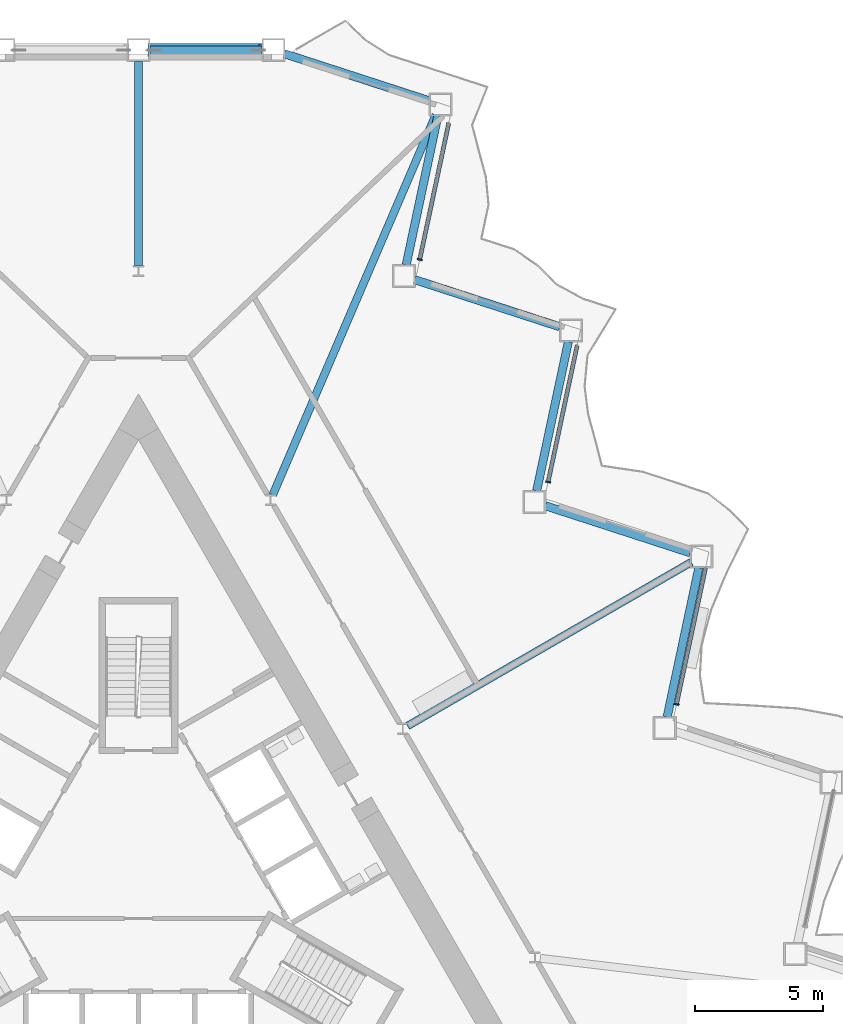
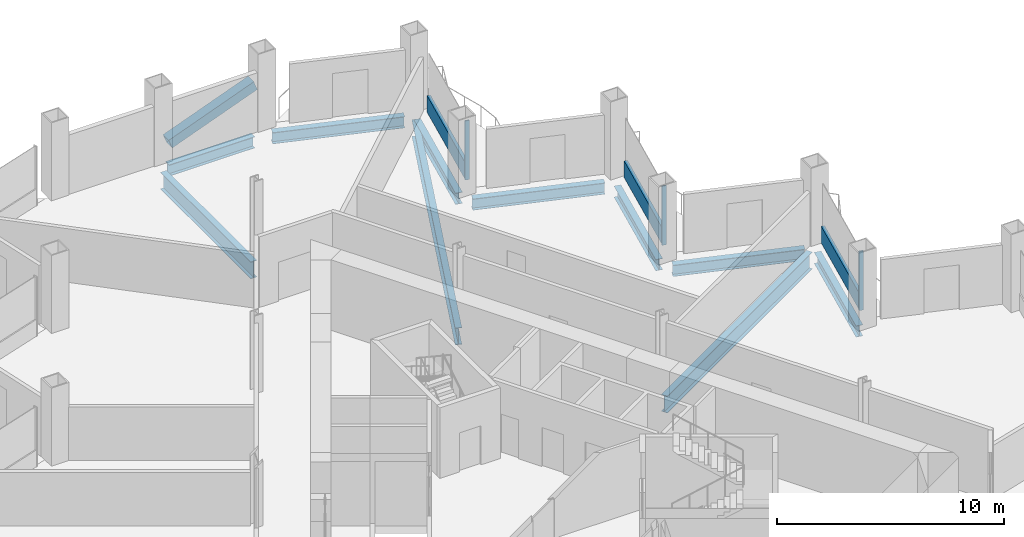
# One storey, part 8 of 21: 10 beams, 7 members, 3 elements without a shape of their own.
"""IFC4 building model written with IfcOpenShell, lengths in metres."""

import ifcopenshell
import ifcopenshell.guid

model = None  # the IFC model being written
_history = None  # IfcOwnerHistory: only IFC2X3 demands one
_inside = {}  # id of a spatial element -> (the spatial element, [elements in it])
_under = {}  # id of a project, library or spatial element -> (it, [spatial elements below it])
_declared = {}  # id of a project -> (the project, [libraries it declares])
_typed = {}  # id of a type object -> (the type object, [elements of that type])
_made_of = {}  # id of a material, layer set ... -> (it, [elements and type objects made of it])


def new_model(schema):
    """Start an empty IFC model of exactly this schema.

    Asked for "IFC4X3", IfcOpenShell would pick the latest addendum, in which some entities
    have other attributes; the version numbers below select the first issue.
    IFC2X3 requires an IfcOwnerHistory on every rooted entity: one is made here for all.
    """
    global model, _history
    if schema == "IFC4X3":
        model = ifcopenshell.file(schema_version=(4, 3, 0, 0))
    else:
        model = ifcopenshell.file(schema=schema)
    _inside.clear()
    _under.clear()
    _declared.clear()
    _typed.clear()
    _made_of.clear()
    _history = None
    if model.schema == "IFC2X3":
        org = make("IfcOrganization", Name="unknown")
        user = make(
            "IfcPersonAndOrganization",
            ThePerson=make("IfcPerson", FamilyName="unknown"),
            TheOrganization=org,
        )
        app = make(
            "IfcApplication",
            ApplicationDeveloper=org,
            Version="unknown",
            ApplicationFullName="unknown",
            ApplicationIdentifier="unknown",
        )
        _history = make(
            "IfcOwnerHistory",
            OwningUser=user,
            OwningApplication=app,
            ChangeAction="ADDED",
            CreationDate=0,
        )
    return model


def make(cls, **values):
    """One entity of the class cls with the attributes given. An attribute that is None is left unset."""
    return model.create_entity(
        cls, **{name: value for name, value in values.items() if value is not None}
    )


def rooted(cls, **values):
    """An entity with a GlobalId (a new one), such as an element, a storey or a relation."""
    return make(cls, GlobalId=ifcopenshell.guid.new(), OwnerHistory=_history, **values)


def si_unit(unit_type, name, prefix=None):
    """IfcSIUnit, for example si_unit("LENGTHUNIT", "METRE", prefix="MILLI")."""
    return make("IfcSIUnit", UnitType=unit_type, Prefix=prefix, Name=name)


def assignment(units):
    """IfcUnitAssignment: the units of a project."""
    return None if units is None else make("IfcUnitAssignment", Units=units)


def point(xyz):
    """IfcCartesianPoint."""
    return None if xyz is None else make("IfcCartesianPoint", Coordinates=xyz)


def direction(xyz):
    """IfcDirection."""
    return None if xyz is None else make("IfcDirection", DirectionRatios=xyz)


def frame(location, z_axis=None, x_axis=None):
    """IfcAxis2Placement3D, a coordinate frame: its origin and axes. An axis left out is left unset."""
    return make(
        "IfcAxis2Placement3D",
        Location=point(location),
        Axis=direction(z_axis),
        RefDirection=direction(x_axis),
    )


def frame_2d(location, x_axis=None):
    """IfcAxis2Placement2D, a coordinate frame in the plane: its origin and x axis."""
    return make(
        "IfcAxis2Placement2D", Location=point(location), RefDirection=direction(x_axis)
    )


def origin():
    """The frame at (0, 0, 0) with its axes left unset."""
    return frame((0.0, 0.0, 0.0))


def origin_2d():
    """The frame at (0, 0) in the plane with its x axis left unset."""
    return frame_2d((0.0, 0.0))


def place(relative_to, where):
    """IfcLocalPlacement: puts the frame where relative to a parent placement (None: the world)."""
    return make(
        "IfcLocalPlacement", PlacementRelTo=relative_to, RelativePlacement=where
    )


def context(
    kind, dimensions, precision=None, world=None, true_north=None, identifier=None
):
    """IfcGeometricRepresentationContext, for example the 3D "Model" context."""
    return make(
        "IfcGeometricRepresentationContext",
        ContextIdentifier=identifier,
        ContextType=kind,
        CoordinateSpaceDimension=dimensions,
        Precision=precision,
        WorldCoordinateSystem=world,
        TrueNorth=true_north,
    )


def subcontext(parent, identifier, kind, view, scale=None):
    """IfcGeometricRepresentationSubContext, for example "Body" below "Model"."""
    return make(
        "IfcGeometricRepresentationSubContext",
        ContextIdentifier=identifier,
        ContextType=kind,
        ParentContext=parent,
        TargetScale=scale,
        TargetView=view,
    )


def project(units=None, contexts=None):
    """IfcProject with its units and contexts."""
    return rooted(
        "IfcProject",
        Name="project",
        RepresentationContexts=contexts,
        UnitsInContext=assignment(units),
    )


def spatial(cls, under=None, at=None, **own):
    """A site, building, storey or space (cls), placed at a placement, below another one or the project."""
    s = rooted(cls, ObjectPlacement=at, **own)
    if under is not None:
        _under.setdefault(under.id(), (under, []))[1].append(s)
    return s


def profile(cls, at=None, kind="AREA", **sizes):
    """A parametric profile (cls). Its sizes go by their IFC names, for example OverallWidth=200.0."""
    return make(cls, ProfileType=kind, Position=at, **sizes)


def rectangle(**sizes):
    """IfcRectangleProfileDef."""
    return profile("IfcRectangleProfileDef", **sizes)


def hollow_rectangle(**sizes):
    """IfcRectangleHollowProfileDef."""
    return profile("IfcRectangleHollowProfileDef", **sizes)


def i_section(**sizes):
    """IfcIShapeProfileDef."""
    return profile("IfcIShapeProfileDef", **sizes)


def extrude(swept, where, along, depth):
    """IfcExtrudedAreaSolid: the profile swept, set in the frame where, extruded along a direction by depth."""
    return make(
        "IfcExtrudedAreaSolid",
        SweptArea=swept,
        Position=where,
        ExtrudedDirection=direction(along),
        Depth=depth,
    )


def shape(context_of_items, identifier, shape_type, items):
    """IfcShapeRepresentation: the items that make up one representation, for example the "Body"."""
    return make(
        "IfcShapeRepresentation",
        ContextOfItems=context_of_items,
        RepresentationIdentifier=identifier,
        RepresentationType=shape_type,
        Items=items,
    )


def material(Name=None, Category=None):
    """IfcMaterial."""
    return make("IfcMaterial", Name=Name, Category=Category)


def layer(
    of_material, thickness, ventilated=None, Name=None, Category=None, Priority=None
):
    """IfcMaterialLayer: one layer of a wall or slab, of a material (None: an air gap)."""
    return make(
        "IfcMaterialLayer",
        Material=of_material,
        LayerThickness=thickness,
        IsVentilated=ventilated,
        Name=Name,
        Category=Category,
        Priority=Priority,
    )


def layer_set(layers, Name=None):
    """IfcMaterialLayerSet."""
    return make("IfcMaterialLayerSet", MaterialLayers=layers, LayerSetName=Name)


def material_profile(
    of_material, cross_section, Name=None, Category=None, Priority=None
):
    """IfcMaterialProfile: a cross section and its material."""
    return make(
        "IfcMaterialProfile",
        Name=Name,
        Material=of_material,
        Profile=cross_section,
        Priority=Priority,
        Category=Category,
    )


def profile_set(profiles, Name=None, composite=None):
    """IfcMaterialProfileSet."""
    return make(
        "IfcMaterialProfileSet",
        Name=Name,
        MaterialProfiles=profiles,
        CompositeProfile=composite,
    )


def made_of(thing, what):
    """Note that an element or type object is made of a material, layer set ...; save() writes the relation."""
    if what is not None:
        _made_of.setdefault(what.id(), (what, []))[1].append(thing)
    return thing


def type_object(cls, material=None, **own):
    """A type object (cls), such as IfcWallType, which elements share."""
    return made_of(rooted(cls, **own), material)


def element(
    cls,
    number,
    at=None,
    inside=None,
    cuts=None,
    type_object=None,
    material=None,
    context=None,
    identifier="Body",
    shape_type=None,
    held_by="IfcProductDefinitionShape",
    body=None,
    shapes=None,
    **own,
):
    """One element of the class cls, such as IfcWall. Its Tag is "e" and its number.

    at: its placement. inside: the storey or other place that contains it. cuts: it is an
    opening in that element (IfcRelVoidsElement). A single representation is given by context,
    identifier, shape_type and body (its items); several are given by shapes. held_by: the class
    of the entity that holds the representations. save() writes the other relations.
    """
    e = rooted(cls, Tag="e%d" % number, ObjectPlacement=at, **own)
    if body is not None:
        shapes = [shape(context, identifier, shape_type, body)]
    if shapes is not None:
        e.Representation = make(held_by, Representations=shapes)
    if inside is not None:
        _inside.setdefault(inside.id(), (inside, []))[1].append(e)
    if cuts is not None:
        rooted(
            "IfcRelVoidsElement", RelatingBuildingElement=cuts, RelatedOpeningElement=e
        )
    if type_object is not None:
        _typed.setdefault(type_object.id(), (type_object, []))[1].append(e)
    return made_of(e, material)


def aggregate(whole, parts):
    """IfcRelAggregates: a whole, such as a stair, and the parts it consists of."""
    return rooted("IfcRelAggregates", RelatingObject=whole, RelatedObjects=parts)


def save(model, path):
    """Write the relations noted so far, then the file.

    IfcRelAggregates (storeys below a building ...), IfcRelContainedInSpatialStructure (elements
    in a storey), IfcRelDefinesByType, IfcRelAssociatesMaterial and IfcRelDeclares: one each for
    every whole, place, type object, material and project.
    """
    for whole, parts in _under.values():
        aggregate(whole, parts)
    for where, things in _inside.values():
        rooted(
            "IfcRelContainedInSpatialStructure",
            RelatedElements=things,
            RelatingStructure=where,
        )
    for kind, things in _typed.values():
        rooted("IfcRelDefinesByType", RelatedObjects=things, RelatingType=kind)
    for what, things in _made_of.values():
        rooted("IfcRelAssociatesMaterial", RelatedObjects=things, RelatingMaterial=what)
    for by, libraries in _declared.values():
        rooted("IfcRelDeclares", RelatingContext=by, RelatedDefinitions=libraries)
    model.write(path)


model = new_model("IFC4")

# Units and contexts
model_context = context("Model", 3, precision=1e-05, world=origin(), true_north=direction((0.0, 1.0)))
body_context = subcontext(model_context, "Body", "Model", "MODEL_VIEW")
ifc_project = project(units=[si_unit("LENGTHUNIT", "METRE"), si_unit("AREAUNIT", "SQUARE_METRE"), si_unit("VOLUMEUNIT", "CUBIC_METRE"), si_unit("PLANEANGLEUNIT", "RADIAN"), si_unit("MASSUNIT", "GRAM", prefix="KILO")], contexts=[model_context])

# Site, building, storey
site_placement = place(None, origin())
site = spatial("IfcSite", under=ifc_project, at=site_placement, CompositionType="ELEMENT")
building_placement = place(site_placement, origin())
building = spatial("IfcBuilding", under=site, at=building_placement, Name="Cormorant Prow Tower", CompositionType="ELEMENT")
storey_placement = place(building_placement, frame((0.0, 0.0, 120.60009765625)))
storey = spatial("IfcBuildingStorey", under=building, at=storey_placement, Name="L25", CompositionType="ELEMENT", Elevation=120.60009765625)

# Member
ifc_material_1 = material(Name="Structural steel ASTM A500 Gr C", Category="steel")
ifc_material_profile_1 = material_profile(ifc_material_1, hollow_rectangle(XDim=0.508056640625, YDim=0.508056640625, WallThickness=0.014892578125, at=origin_2d()), Name="HSS20x20x5/8")
ifc_profile_set_1 = profile_set([ifc_material_profile_1], Name="Structural steel ASTM A500 Gr C")
member_type_1 = type_object("IfcMemberType", Name="Chamfer brace HSS20x20x5/8", PredefinedType="BRACE", material=ifc_profile_set_1)
member_1_placement = place(storey_placement, frame((0.4677734375, 32.487060546875, 0.7763671875), z_axis=(0.935564597435, 0.0, 0.3531556088), x_axis=(0.0, 1.0, 0.0)))
element("IfcMember", 1, at=member_1_placement, inside=storey, type_object=member_type_1, Name="Chamfer brace BR1 at N00 L25", PredefinedType="BRACE", context=body_context, shape_type="SweptSolid", body=[
    extrude(hollow_rectangle(XDim=0.508056640625, YDim=0.508056640625, WallThickness=0.014892578125, at=origin_2d()), origin(), (0.0, 0.0, 1.0), 4.632568359375),
])

# Curtain wall, member
ifc_material_2 = material(Name="Aluminium 6063-T6", Category="aluminium")
ifc_layer = layer(ifc_material_2, 0.199951171875)
ifc_layer_set = layer_set([ifc_layer], Name="Aluminium 6063-T6")
curtain_wall_type = type_object("IfcCurtainWallType", Name="Office unitised curtain wall 200", PredefinedType="NOTDEFINED", material=ifc_layer_set)
curtain_wall_1_placement = place(storey_placement, origin())
curtain_wall_1 = element("IfcCurtainWall", 2, at=curtain_wall_1_placement, inside=storey, type_object=curtain_wall_type, Name="Office curtain wall ENE04", PredefinedType="NOTDEFINED")
ifc_material_3 = material(Name="Aluminium 6063-T6", Category="aluminium")
ifc_material_profile_2 = material_profile(ifc_material_3, rectangle(XDim=0.199951171875, YDim=0.06005859375, at=origin_2d()), Name="Office mullion 60x200")
ifc_profile_set_2 = profile_set([ifc_material_profile_2], Name="Aluminium 6063-T6")
member_type_2 = type_object("IfcMemberType", Name="Office mullion 60x200", PredefinedType="MULLION", material=ifc_profile_set_2)
member_2_placement = place(storey_placement, frame((21.029296875, 6.91845703125, 0.0), z_axis=(0.0, 0.0, 1.0), x_axis=(-0.978147610002, 0.207911647216, 0.0)))
member_2 = element("IfcMember", 3, at=member_2_placement, type_object=member_type_2, Name="Office mullion ENE04", PredefinedType="MULLION", context=body_context, shape_type="SweptSolid", body=[
    extrude(rectangle(XDim=0.199951171875, YDim=0.06005859375, at=origin_2d()), origin(), (0.0, 0.0, 1.0), 3.188720703125),
])

curtain_wall_2_placement = place(storey_placement, origin())
curtain_wall_2 = element("IfcCurtainWall", 4, at=curtain_wall_2_placement, inside=storey, type_object=curtain_wall_type, Name="Office curtain wall ENE06", PredefinedType="NOTDEFINED")
member_3_placement = place(storey_placement, frame((16.01123046875, 15.60986328125, 0.0), z_axis=(0.0, 0.0, 1.0), x_axis=(-0.978147610002, 0.207911647216, 0.0)))
member_3 = element("IfcMember", 5, at=member_3_placement, type_object=member_type_2, Name="Office mullion ENE06", PredefinedType="MULLION", context=body_context, shape_type="SweptSolid", body=[
    extrude(rectangle(XDim=0.199951171875, YDim=0.06005859375, at=origin_2d()), origin(), (0.0, 0.0, 1.0), 3.188720703125),
])

curtain_wall_3_placement = place(storey_placement, origin())
curtain_wall_3 = element("IfcCurtainWall", 6, at=curtain_wall_3_placement, inside=storey, type_object=curtain_wall_type, Name="Office curtain wall ENE08", PredefinedType="NOTDEFINED")
member_4_placement = place(storey_placement, frame((10.9931640625, 24.301513671875, 0.0), z_axis=(0.0, 0.0, 1.0), x_axis=(-0.978147610002, 0.207911647216, 0.0)))
member_4 = element("IfcMember", 7, at=member_4_placement, type_object=member_type_2, Name="Office mullion ENE08", PredefinedType="MULLION", context=body_context, shape_type="SweptSolid", body=[
    extrude(rectangle(XDim=0.199951171875, YDim=0.06005859375, at=origin_2d()), origin(), (0.0, 0.0, 1.0), 3.188720703125),
])

# Member
ifc_material_4 = material(Name="Terracotta", Category="masonry")
ifc_material_profile_3 = material_profile(ifc_material_4, rectangle(XDim=0.159912109375, YDim=0.89990234375, at=origin_2d()), Name="Office terracotta spandrel rail 160x900")
ifc_profile_set_3 = profile_set([ifc_material_profile_3], Name="Terracotta")
member_type_3 = type_object("IfcMemberType", Name="Office terracotta spandrel rail 160x900", PredefinedType="USERDEFINED", material=ifc_profile_set_3)
member_5_placement = place(storey_placement, frame((21.035400390625, 6.94775390625, 0.449951171875), z_axis=(0.207907775763, 0.978148432896, 0.0), x_axis=(-0.978148432896, 0.207907775763, 0.0)))
member_5 = element("IfcMember", 8, at=member_5_placement, type_object=member_type_3, Name="Office spandrel rail ENE04", ObjectType="TRANSOM", PredefinedType="USERDEFINED", context=body_context, shape_type="SweptSolid", body=[
    extrude(rectangle(XDim=0.159912109375, YDim=0.89990234375, at=origin_2d()), origin(), (0.0, 0.0, 1.0), 5.42041015625),
])

aggregate(curtain_wall_1, [member_2, member_5])

member_6_placement = place(storey_placement, frame((16.017578125, 15.63916015625, 0.449951171875), z_axis=(0.207907775763, 0.978148432896, 0.0), x_axis=(-0.978148432896, 0.207907775763, 0.0)))
member_6 = element("IfcMember", 9, at=member_6_placement, type_object=member_type_3, Name="Office spandrel rail ENE06", ObjectType="TRANSOM", PredefinedType="USERDEFINED", context=body_context, shape_type="SweptSolid", body=[
    extrude(rectangle(XDim=0.159912109375, YDim=0.89990234375, at=origin_2d()), origin(), (0.0, 0.0, 1.0), 5.42041015625),
])

aggregate(curtain_wall_2, [member_3, member_6])

member_7_placement = place(storey_placement, frame((10.99951171875, 24.330810546875, 0.449951171875), z_axis=(0.207907775763, 0.978148432896, 0.0), x_axis=(-0.978148432896, 0.207907775763, 0.0)))
member_7 = element("IfcMember", 10, at=member_7_placement, type_object=member_type_3, Name="Office spandrel rail ENE08", ObjectType="TRANSOM", PredefinedType="USERDEFINED", context=body_context, shape_type="SweptSolid", body=[
    extrude(rectangle(XDim=0.159912109375, YDim=0.89990234375, at=origin_2d()), origin(), (0.0, 0.0, 1.0), 5.42041015625),
])

aggregate(curtain_wall_3, [member_4, member_7])

# Beams
ifc_material_5 = material(Name="Structural steel ASTM A992 Gr 50", Category="steel")
ifc_material_profile_4 = material_profile(ifc_material_5, i_section(OverallWidth=0.3046875, OverallDepth=0.914794921875, WebThickness=0.0166015625, FlangeThickness=0.02587890625, at=origin_2d()), Name="W36x160")
ifc_profile_set_4 = profile_set([ifc_material_profile_4], Name="Structural steel ASTM A992 Gr 50")
beam_type_1 = type_object("IfcBeamType", Name="Radial floor beam W36x160", PredefinedType="BEAM", material=ifc_profile_set_4)
beam_1_placement = place(storey_placement, frame((0.0, 24.070068359375, -0.857421875), z_axis=(0.0, 1.0, 0.0), x_axis=(-1.0, 0.0, 0.0)))
element("IfcBeam", 11, at=beam_1_placement, inside=storey, type_object=beam_type_1, Name="Radial floor beam FB1 1 L25", PredefinedType="BEAM", context=body_context, shape_type="SweptSolid", body=[
    extrude(i_section(OverallWidth=0.3046875, OverallDepth=0.914794921875, WebThickness=0.0166015625, FlangeThickness=0.02587890625, at=origin_2d()), origin(), (0.0, 0.0, 1.0), 7.966796875),
])
beam_2_placement = place(storey_placement, frame((10.516845703125, 6.07177734375, -0.857421875), z_axis=(0.866021760006, 0.500006311156, 0.0), x_axis=(-0.500006311156, 0.866021760006, 0.0)))
element("IfcBeam", 12, at=beam_2_placement, inside=storey, type_object=beam_type_1, Name="Radial floor beam FB1 11 L25", PredefinedType="BEAM", context=body_context, shape_type="SweptSolid", body=[
    extrude(i_section(OverallWidth=0.3046875, OverallDepth=0.914794921875, WebThickness=0.0166015625, FlangeThickness=0.02587890625, at=origin_2d()), origin(), (0.0, 0.0, 1.0), 12.805419921875),
])
beam_3_placement = place(storey_placement, frame((5.25, 15.107666015625, -0.857421875), z_axis=(0.394273140268, 0.918993302948, 0.0), x_axis=(-0.918993302948, 0.394273140268, 0.0)))
element("IfcBeam", 13, at=beam_3_placement, inside=storey, type_object=beam_type_1, Name="Radial floor beam FB1 12 L25", PredefinedType="BEAM", context=body_context, shape_type="SweptSolid", body=[
    extrude(i_section(OverallWidth=0.3046875, OverallDepth=0.914794921875, WebThickness=0.0166015625, FlangeThickness=0.02587890625, at=origin_2d()), origin(), (0.0, 0.0, 1.0), 16.153564453125),
])
ifc_material_6 = material(Name="Structural steel ASTM A992 Gr 50", Category="steel")
ifc_material_profile_5 = material_profile(ifc_material_6, i_section(OverallWidth=0.32373046875, OverallDepth=0.611083984375, WebThickness=0.0126953125, FlangeThickness=0.01904296875, at=origin_2d()), Name="W24x104")
ifc_profile_set_5 = profile_set([ifc_material_profile_5], Name="Structural steel ASTM A992 Gr 50")
beam_type_2 = type_object("IfcBeamType", Name="Spandrel beam W24x104", PredefinedType="SPANDREL", material=ifc_profile_set_5)
beam_4_placement = place(storey_placement, frame((20.6630859375, 6.427001953125, -0.70556640625), z_axis=(0.207912620873, 0.978147403044, 0.0), x_axis=(-0.978147403044, 0.207912620873, 0.0)))
element("IfcBeam", 14, at=beam_4_placement, inside=storey, type_object=beam_type_2, Name="Spandrel beam SB1 ENE04-ENE05 L25", PredefinedType="SPANDREL", context=body_context, shape_type="SweptSolid", body=[
    extrude(i_section(OverallWidth=0.32373046875, OverallDepth=0.611083984375, WebThickness=0.0126953125, FlangeThickness=0.01904296875, at=origin_2d()), origin(), (0.0, 0.0, 1.0), 5.962890625),
])
for number, where, z_axis, x_axis, name in (
    (15, (21.568359375, 12.838623046875, -0.70556640625), (-0.951059340519, 0.309008302174, 0.0), (-0.309008302174, -0.951059340519, 0.0), "Spandrel beam SB1 ENE05-ENE06 L25"),
    (16, (15.56298828125, 15.260498046875, -0.70556640625), (0.207920947907, 0.978145633033, 0.0), (-0.978145633033, 0.207920947907, 0.0), "Spandrel beam SB1 ENE06-ENE07 L25"),
):
    element("IfcBeam", number, at=place(storey_placement, frame(where, z_axis=z_axis, x_axis=x_axis)), inside=storey, type_object=beam_type_2, Name=name, PredefinedType="SPANDREL", context=body_context, shape_type="SweptSolid", body=[
        extrude(i_section(OverallWidth=0.32373046875, OverallDepth=0.611083984375, WebThickness=0.0126953125, FlangeThickness=0.01904296875, at=origin_2d()), origin(), (0.0, 0.0, 1.0), 5.962646484375),
    ])
beam_5_placement = place(storey_placement, frame((16.468505859375, 21.671875, -0.70556640625), z_axis=(-0.95104730696, 0.309045336358, 0.0), x_axis=(-0.309045336358, -0.95104730696, 0.0)))
element("IfcBeam", 17, at=beam_5_placement, inside=storey, type_object=beam_type_2, Name="Spandrel beam SB1 ENE07-ENE08 L25", PredefinedType="SPANDREL", context=body_context, shape_type="SweptSolid", body=[
    extrude(i_section(OverallWidth=0.32373046875, OverallDepth=0.611083984375, WebThickness=0.0126953125, FlangeThickness=0.01904296875, at=origin_2d()), origin(), (0.0, 0.0, 1.0), 5.962890625),
])
beam_6_placement = place(storey_placement, frame((10.463134765625, 24.09375, -0.70556640625), z_axis=(0.207920947907, 0.978145633033, 0.0), x_axis=(-0.978145633033, 0.207920947907, 0.0)))
element("IfcBeam", 18, at=beam_6_placement, inside=storey, type_object=beam_type_2, Name="Spandrel beam SB1 ENE08-ENE09 L25", PredefinedType="SPANDREL", context=body_context, shape_type="SweptSolid", body=[
    extrude(i_section(OverallWidth=0.32373046875, OverallDepth=0.611083984375, WebThickness=0.0126953125, FlangeThickness=0.01904296875, at=origin_2d()), origin(), (0.0, 0.0, 1.0), 5.962646484375),
])
beam_7_placement = place(storey_placement, frame((11.368408203125, 30.50537109375, -0.70556640625), z_axis=(-0.951055430656, 0.309020335608, 0.0), x_axis=(-0.309020335608, -0.951055430656, 0.0)))
element("IfcBeam", 19, at=beam_7_placement, inside=storey, type_object=beam_type_2, Name="Spandrel beam SB1 ENE09-N00 L25", PredefinedType="SPANDREL", context=body_context, shape_type="SweptSolid", body=[
    extrude(i_section(OverallWidth=0.32373046875, OverallDepth=0.611083984375, WebThickness=0.0126953125, FlangeThickness=0.01904296875, at=origin_2d()), origin(), (0.0, 0.0, 1.0), 5.96240234375),
])
beam_8_placement = place(storey_placement, frame((4.819580078125, 32.487060546875, -0.70556640625), z_axis=(-1.0, 0.0, 0.0), x_axis=(0.0, -1.0, 0.0)))
element("IfcBeam", 20, at=beam_8_placement, inside=storey, type_object=beam_type_2, Name="Spandrel beam SB1 N00-N01 L25", PredefinedType="SPANDREL", context=body_context, shape_type="SweptSolid", body=[
    extrude(i_section(OverallWidth=0.32373046875, OverallDepth=0.611083984375, WebThickness=0.0126953125, FlangeThickness=0.01904296875, at=origin_2d()), origin(), (0.0, 0.0, 1.0), 4.36962890625),
])

save(model, "model.ifc")
